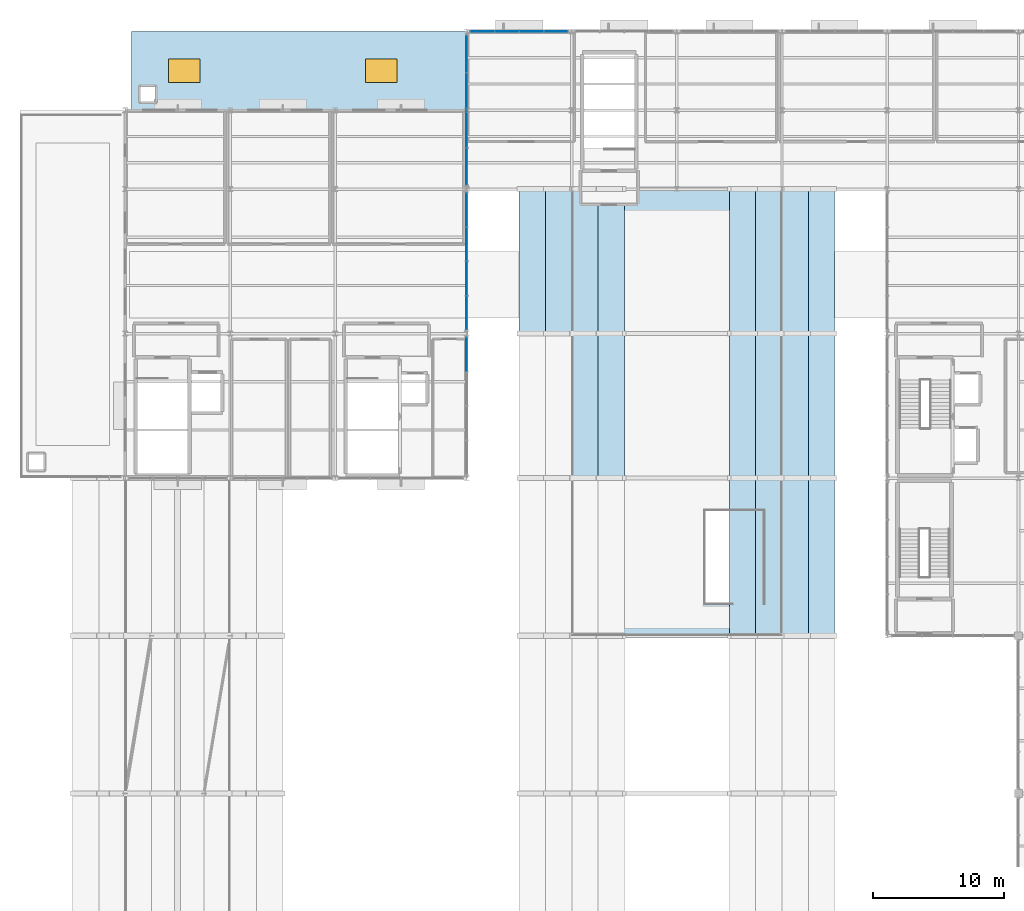
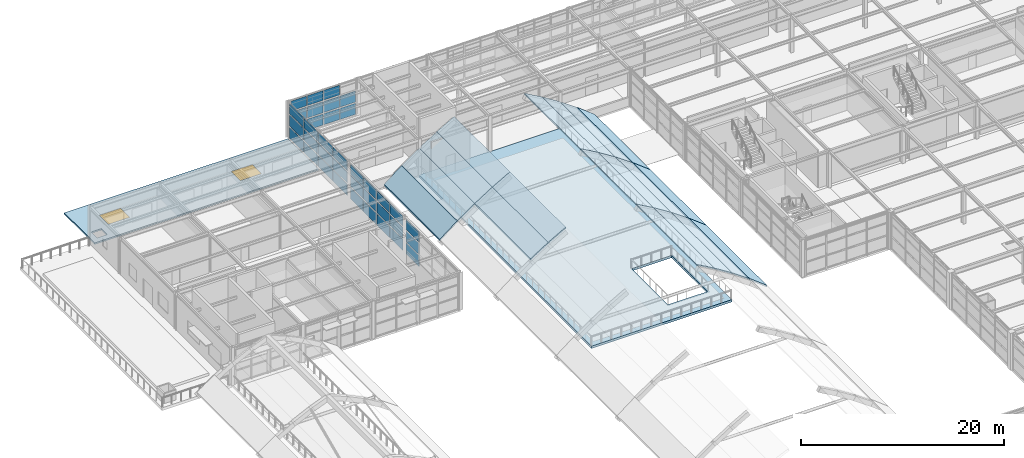
# One storey, part 49 of 82: 38 plates, 20 slabs, 2 windows, 2 openings, 4 elements without a shape of their own.
"""IFC4 building model written with IfcOpenShell, lengths in metres."""

import ifcopenshell
import ifcopenshell.guid

model = None  # the IFC model being written
_history = None  # IfcOwnerHistory: only IFC2X3 demands one
_inside = {}  # id of a spatial element -> (the spatial element, [elements in it])
_under = {}  # id of a project, library or spatial element -> (it, [spatial elements below it])
_declared = {}  # id of a project -> (the project, [libraries it declares])
_typed = {}  # id of a type object -> (the type object, [elements of that type])
_made_of = {}  # id of a material, layer set ... -> (it, [elements and type objects made of it])


def new_model(schema):
    """Start an empty IFC model of exactly this schema.

    Asked for "IFC4X3", IfcOpenShell would pick the latest addendum, in which some entities
    have other attributes; the version numbers below select the first issue.
    IFC2X3 requires an IfcOwnerHistory on every rooted entity: one is made here for all.
    """
    global model, _history
    if schema == "IFC4X3":
        model = ifcopenshell.file(schema_version=(4, 3, 0, 0))
    else:
        model = ifcopenshell.file(schema=schema)
    _inside.clear()
    _under.clear()
    _declared.clear()
    _typed.clear()
    _made_of.clear()
    _history = None
    if model.schema == "IFC2X3":
        org = make("IfcOrganization", Name="unknown")
        user = make(
            "IfcPersonAndOrganization",
            ThePerson=make("IfcPerson", FamilyName="unknown"),
            TheOrganization=org,
        )
        app = make(
            "IfcApplication",
            ApplicationDeveloper=org,
            Version="unknown",
            ApplicationFullName="unknown",
            ApplicationIdentifier="unknown",
        )
        _history = make(
            "IfcOwnerHistory",
            OwningUser=user,
            OwningApplication=app,
            ChangeAction="ADDED",
            CreationDate=0,
        )
    return model


def make(cls, **values):
    """One entity of the class cls with the attributes given. An attribute that is None is left unset."""
    return model.create_entity(
        cls, **{name: value for name, value in values.items() if value is not None}
    )


def rooted(cls, **values):
    """An entity with a GlobalId (a new one), such as an element, a storey or a relation."""
    return make(cls, GlobalId=ifcopenshell.guid.new(), OwnerHistory=_history, **values)


def si_unit(unit_type, name, prefix=None):
    """IfcSIUnit, for example si_unit("LENGTHUNIT", "METRE", prefix="MILLI")."""
    return make("IfcSIUnit", UnitType=unit_type, Prefix=prefix, Name=name)


def assignment(units):
    """IfcUnitAssignment: the units of a project."""
    return None if units is None else make("IfcUnitAssignment", Units=units)


def point(xyz):
    """IfcCartesianPoint."""
    return None if xyz is None else make("IfcCartesianPoint", Coordinates=xyz)


def direction(xyz):
    """IfcDirection."""
    return None if xyz is None else make("IfcDirection", DirectionRatios=xyz)


def frame(location, z_axis=None, x_axis=None):
    """IfcAxis2Placement3D, a coordinate frame: its origin and axes. An axis left out is left unset."""
    return make(
        "IfcAxis2Placement3D",
        Location=point(location),
        Axis=direction(z_axis),
        RefDirection=direction(x_axis),
    )


def frame_2d(location, x_axis=None):
    """IfcAxis2Placement2D, a coordinate frame in the plane: its origin and x axis."""
    return make(
        "IfcAxis2Placement2D", Location=point(location), RefDirection=direction(x_axis)
    )


def origin():
    """The frame at (0, 0, 0) with its axes left unset."""
    return frame((0.0, 0.0, 0.0))


def origin_2d():
    """The frame at (0, 0) in the plane with its x axis left unset."""
    return frame_2d((0.0, 0.0))


def place(relative_to, where):
    """IfcLocalPlacement: puts the frame where relative to a parent placement (None: the world)."""
    return make(
        "IfcLocalPlacement", PlacementRelTo=relative_to, RelativePlacement=where
    )


def context(
    kind, dimensions, precision=None, world=None, true_north=None, identifier=None
):
    """IfcGeometricRepresentationContext, for example the 3D "Model" context."""
    return make(
        "IfcGeometricRepresentationContext",
        ContextIdentifier=identifier,
        ContextType=kind,
        CoordinateSpaceDimension=dimensions,
        Precision=precision,
        WorldCoordinateSystem=world,
        TrueNorth=true_north,
    )


def subcontext(parent, identifier, kind, view, scale=None):
    """IfcGeometricRepresentationSubContext, for example "Body" below "Model"."""
    return make(
        "IfcGeometricRepresentationSubContext",
        ContextIdentifier=identifier,
        ContextType=kind,
        ParentContext=parent,
        TargetScale=scale,
        TargetView=view,
    )


def project(units=None, contexts=None):
    """IfcProject with its units and contexts."""
    return rooted(
        "IfcProject",
        Name="project",
        RepresentationContexts=contexts,
        UnitsInContext=assignment(units),
    )


def spatial(cls, under=None, at=None, **own):
    """A site, building, storey or space (cls), placed at a placement, below another one or the project."""
    s = rooted(cls, ObjectPlacement=at, **own)
    if under is not None:
        _under.setdefault(under.id(), (under, []))[1].append(s)
    return s


def polyline(points):
    """IfcPolyline through the points."""
    return make("IfcPolyline", Points=[point(p) for p in points])


def profile(cls, at=None, kind="AREA", **sizes):
    """A parametric profile (cls). Its sizes go by their IFC names, for example OverallWidth=200.0."""
    return make(cls, ProfileType=kind, Position=at, **sizes)


def rectangle(**sizes):
    """IfcRectangleProfileDef."""
    return profile("IfcRectangleProfileDef", **sizes)


def outline(outer, holes=None, kind="AREA"):
    """IfcArbitraryClosedProfileDef: a profile drawn as a closed curve; with holes, ...WithVoids."""
    if holes is None:
        return make("IfcArbitraryClosedProfileDef", ProfileType=kind, OuterCurve=outer)
    return make(
        "IfcArbitraryProfileDefWithVoids",
        ProfileType=kind,
        OuterCurve=outer,
        InnerCurves=holes,
    )


def extrude(swept, where, along, depth):
    """IfcExtrudedAreaSolid: the profile swept, set in the frame where, extruded along a direction by depth."""
    return make(
        "IfcExtrudedAreaSolid",
        SweptArea=swept,
        Position=where,
        ExtrudedDirection=direction(along),
        Depth=depth,
    )


def shape(context_of_items, identifier, shape_type, items):
    """IfcShapeRepresentation: the items that make up one representation, for example the "Body"."""
    return make(
        "IfcShapeRepresentation",
        ContextOfItems=context_of_items,
        RepresentationIdentifier=identifier,
        RepresentationType=shape_type,
        Items=items,
    )


def material(Name=None, Category=None):
    """IfcMaterial."""
    return make("IfcMaterial", Name=Name, Category=Category)


def layer(
    of_material, thickness, ventilated=None, Name=None, Category=None, Priority=None
):
    """IfcMaterialLayer: one layer of a wall or slab, of a material (None: an air gap)."""
    return make(
        "IfcMaterialLayer",
        Material=of_material,
        LayerThickness=thickness,
        IsVentilated=ventilated,
        Name=Name,
        Category=Category,
        Priority=Priority,
    )


def layer_set(layers, Name=None):
    """IfcMaterialLayerSet."""
    return make("IfcMaterialLayerSet", MaterialLayers=layers, LayerSetName=Name)


def made_of(thing, what):
    """Note that an element or type object is made of a material, layer set ...; save() writes the relation."""
    if what is not None:
        _made_of.setdefault(what.id(), (what, []))[1].append(thing)
    return thing


def type_object(cls, material=None, **own):
    """A type object (cls), such as IfcWallType, which elements share."""
    return made_of(rooted(cls, **own), material)


def element(
    cls,
    number,
    at=None,
    inside=None,
    cuts=None,
    type_object=None,
    material=None,
    context=None,
    identifier="Body",
    shape_type=None,
    held_by="IfcProductDefinitionShape",
    body=None,
    shapes=None,
    **own,
):
    """One element of the class cls, such as IfcWall. Its Tag is "e" and its number.

    at: its placement. inside: the storey or other place that contains it. cuts: it is an
    opening in that element (IfcRelVoidsElement). A single representation is given by context,
    identifier, shape_type and body (its items); several are given by shapes. held_by: the class
    of the entity that holds the representations. save() writes the other relations.
    """
    e = rooted(cls, Tag="e%d" % number, ObjectPlacement=at, **own)
    if body is not None:
        shapes = [shape(context, identifier, shape_type, body)]
    if shapes is not None:
        e.Representation = make(held_by, Representations=shapes)
    if inside is not None:
        _inside.setdefault(inside.id(), (inside, []))[1].append(e)
    if cuts is not None:
        rooted(
            "IfcRelVoidsElement", RelatingBuildingElement=cuts, RelatedOpeningElement=e
        )
    if type_object is not None:
        _typed.setdefault(type_object.id(), (type_object, []))[1].append(e)
    return made_of(e, material)


def fill(opening, filler):
    """IfcRelFillsElement: the door or window that sits in an opening."""
    return rooted(
        "IfcRelFillsElement",
        RelatingOpeningElement=opening,
        RelatedBuildingElement=filler,
    )


def aggregate(whole, parts):
    """IfcRelAggregates: a whole, such as a stair, and the parts it consists of."""
    return rooted("IfcRelAggregates", RelatingObject=whole, RelatedObjects=parts)


def save(model, path):
    """Write the relations noted so far, then the file.

    IfcRelAggregates (storeys below a building ...), IfcRelContainedInSpatialStructure (elements
    in a storey), IfcRelDefinesByType, IfcRelAssociatesMaterial and IfcRelDeclares: one each for
    every whole, place, type object, material and project.
    """
    for whole, parts in _under.values():
        aggregate(whole, parts)
    for where, things in _inside.values():
        rooted(
            "IfcRelContainedInSpatialStructure",
            RelatedElements=things,
            RelatingStructure=where,
        )
    for kind, things in _typed.values():
        rooted("IfcRelDefinesByType", RelatedObjects=things, RelatingType=kind)
    for what, things in _made_of.values():
        rooted("IfcRelAssociatesMaterial", RelatedObjects=things, RelatingMaterial=what)
    for by, libraries in _declared.values():
        rooted("IfcRelDeclares", RelatingContext=by, RelatedDefinitions=libraries)
    model.write(path)


model = new_model("IFC4")

# Units and contexts
model_context = context("Model", 3, precision=1e-05, world=origin(), true_north=direction((0.0, 1.0)))
body_context = subcontext(model_context, "Body", "Model", "MODEL_VIEW")
ifc_project = project(units=[si_unit("LENGTHUNIT", "METRE"), si_unit("AREAUNIT", "SQUARE_METRE"), si_unit("VOLUMEUNIT", "CUBIC_METRE"), si_unit("PLANEANGLEUNIT", "RADIAN"), si_unit("MASSUNIT", "GRAM", prefix="KILO")], contexts=[model_context])

# Site, building, storey
site_placement = place(None, origin())
site = spatial("IfcSite", under=ifc_project, at=site_placement, CompositionType="ELEMENT")
building_placement = place(site_placement, origin())
building = spatial("IfcBuilding", under=site, at=building_placement, Name="Sitalva Quay Ferry Terminal", CompositionType="ELEMENT")
storey_placement = place(building_placement, frame((0.0, 0.0, 5.39990234375)))
storey = spatial("IfcBuildingStorey", under=building, at=storey_placement, Name="L02", CompositionType="ELEMENT", Elevation=5.39990234375)

# Curtain wall, plates
ifc_material_1 = material(Name="Anodised Aluminium & Low-E Glazing", Category="aluminium")
ifc_layer_1 = layer(ifc_material_1, 0.159912109375)
ifc_layer_set_1 = layer_set([ifc_layer_1], Name="Anodised Aluminium & Low-E Glazing")
curtain_wall_type = type_object("IfcCurtainWallType", Name="CW_Office_Unitised", PredefinedType="USERDEFINED", material=ifc_layer_set_1)
curtain_wall_1_placement = place(storey_placement, origin())
curtain_wall_1 = element("IfcCurtainWall", 1, at=curtain_wall_1_placement, inside=storey, type_object=curtain_wall_type, Name="L02 west wing east glazing overlooking V1 (CW-L02-109)", ObjectType="CURTAIN_WALL", PredefinedType="USERDEFINED")
ifc_material_2 = material(Name="Solar-Control Low-E Glazing", Category="glass")
ifc_layer_2 = layer(ifc_material_2, 0.031982421875)
ifc_layer_set_2 = layer_set([ifc_layer_2], Name="Solar-Control Low-E Glazing")
plate_type_1 = type_object("IfcPlateType", Name="Panel_Solar_IGU_32", PredefinedType="CURTAIN_PANEL", material=ifc_layer_set_2)
plate_1_placement = place(storey_placement, frame((42.0, 87.4150390625, 0.14990234375), z_axis=(0.0, 0.0, 1.0), x_axis=(0.0, 1.0, 0.0)))
plate_1 = element("IfcPlate", 2, at=plate_1_placement, type_object=plate_type_1, Name="CW-L02-109-P3-0", PredefinedType="CURTAIN_PANEL", context=body_context, shape_type="SweptSolid", body=[
    extrude(rectangle(XDim=2.534912109375, YDim=0.031982421875, at=origin_2d()), origin(), (0.0, 0.0, 1.0), 1.333251953125),
])
plate_2_placement = place(storey_placement, frame((42.0, 87.4150390625, 1.63330078125), z_axis=(0.0, 0.0, 1.0), x_axis=(0.0, 1.0, 0.0)))
plate_2 = element("IfcPlate", 3, at=plate_2_placement, type_object=plate_type_1, Name="CW-L02-109-P3-1", PredefinedType="CURTAIN_PANEL", context=body_context, shape_type="SweptSolid", body=[
    extrude(rectangle(XDim=2.534912109375, YDim=0.031982421875, at=origin_2d()), origin(), (0.0, 0.0, 1.0), 1.333251953125),
])
plate_3_placement = place(storey_placement, frame((42.0, 87.4150390625, 3.11669921875), z_axis=(0.0, 0.0, 1.0), x_axis=(0.0, 1.0, 0.0)))
plate_3 = element("IfcPlate", 4, at=plate_3_placement, type_object=plate_type_1, Name="CW-L02-109-P3-2", PredefinedType="CURTAIN_PANEL", context=body_context, shape_type="SweptSolid", body=[
    extrude(rectangle(XDim=2.534912109375, YDim=0.031982421875, at=origin_2d()), origin(), (0.0, 0.0, 1.0), 1.183349609375),
])
aggregate(curtain_wall_1, [plate_1, plate_2, plate_3])

curtain_wall_2_placement = place(storey_placement, origin())
curtain_wall_2 = element("IfcCurtainWall", 5, at=curtain_wall_2_placement, inside=storey, type_object=curtain_wall_type, Name="L02 west wing east glazing overlooking V1 (CW-L02-111)", ObjectType="CURTAIN_WALL", PredefinedType="USERDEFINED")
plate_4_placement = place(storey_placement, frame((42.0, 90.5849609375, 0.14990234375), z_axis=(0.0, 0.0, 1.0), x_axis=(0.0, 1.0, 0.0)))
plate_4 = element("IfcPlate", 6, at=plate_4_placement, type_object=plate_type_1, Name="CW-L02-111-P0-0", PredefinedType="CURTAIN_PANEL", context=body_context, shape_type="SweptSolid", body=[
    extrude(rectangle(XDim=2.534912109375, YDim=0.031982421875, at=origin_2d()), origin(), (0.0, 0.0, 1.0), 1.333251953125),
])
plate_5_placement = place(storey_placement, frame((42.0, 90.5849609375, 1.63330078125), z_axis=(0.0, 0.0, 1.0), x_axis=(0.0, 1.0, 0.0)))
plate_5 = element("IfcPlate", 7, at=plate_5_placement, type_object=plate_type_1, Name="CW-L02-111-P0-1", PredefinedType="CURTAIN_PANEL", context=body_context, shape_type="SweptSolid", body=[
    extrude(rectangle(XDim=2.534912109375, YDim=0.031982421875, at=origin_2d()), origin(), (0.0, 0.0, 1.0), 1.333251953125),
])
plate_6_placement = place(storey_placement, frame((42.0, 90.5849609375, 3.11669921875), z_axis=(0.0, 0.0, 1.0), x_axis=(0.0, 1.0, 0.0)))
plate_6 = element("IfcPlate", 8, at=plate_6_placement, type_object=plate_type_1, Name="CW-L02-111-P0-2", PredefinedType="CURTAIN_PANEL", context=body_context, shape_type="SweptSolid", body=[
    extrude(rectangle(XDim=2.534912109375, YDim=0.031982421875, at=origin_2d()), origin(), (0.0, 0.0, 1.0), 1.183349609375),
])
plate_7_placement = place(storey_placement, frame((42.0, 93.195068359375, 0.14990234375), z_axis=(0.0, 0.0, 1.0), x_axis=(0.0, 1.0, 0.0)))
plate_7 = element("IfcPlate", 9, at=plate_7_placement, type_object=plate_type_1, Name="CW-L02-111-P1-0", PredefinedType="CURTAIN_PANEL", context=body_context, shape_type="SweptSolid", body=[
    extrude(rectangle(XDim=2.534912109375, YDim=0.031982421875, at=origin_2d()), origin(), (0.0, 0.0, 1.0), 1.333251953125),
])
plate_8_placement = place(storey_placement, frame((42.0, 93.195068359375, 1.63330078125), z_axis=(0.0, 0.0, 1.0), x_axis=(0.0, 1.0, 0.0)))
plate_8 = element("IfcPlate", 10, at=plate_8_placement, type_object=plate_type_1, Name="CW-L02-111-P1-1", PredefinedType="CURTAIN_PANEL", context=body_context, shape_type="SweptSolid", body=[
    extrude(rectangle(XDim=2.534912109375, YDim=0.031982421875, at=origin_2d()), origin(), (0.0, 0.0, 1.0), 1.333251953125),
])
plate_9_placement = place(storey_placement, frame((42.0, 93.195068359375, 3.11669921875), z_axis=(0.0, 0.0, 1.0), x_axis=(0.0, 1.0, 0.0)))
plate_9 = element("IfcPlate", 11, at=plate_9_placement, type_object=plate_type_1, Name="CW-L02-111-P1-2", PredefinedType="CURTAIN_PANEL", context=body_context, shape_type="SweptSolid", body=[
    extrude(rectangle(XDim=2.534912109375, YDim=0.031982421875, at=origin_2d()), origin(), (0.0, 0.0, 1.0), 1.183349609375),
])
plate_10_placement = place(storey_placement, frame((42.0, 95.804931640625, 0.14990234375), z_axis=(0.0, 0.0, 1.0), x_axis=(0.0, 1.0, 0.0)))
plate_10 = element("IfcPlate", 12, at=plate_10_placement, type_object=plate_type_1, Name="CW-L02-111-P2-0", PredefinedType="CURTAIN_PANEL", context=body_context, shape_type="SweptSolid", body=[
    extrude(rectangle(XDim=2.534912109375, YDim=0.031982421875, at=origin_2d()), origin(), (0.0, 0.0, 1.0), 1.333251953125),
])
plate_11_placement = place(storey_placement, frame((42.0, 95.804931640625, 1.63330078125), z_axis=(0.0, 0.0, 1.0), x_axis=(0.0, 1.0, 0.0)))
plate_11 = element("IfcPlate", 13, at=plate_11_placement, type_object=plate_type_1, Name="CW-L02-111-P2-1", PredefinedType="CURTAIN_PANEL", context=body_context, shape_type="SweptSolid", body=[
    extrude(rectangle(XDim=2.534912109375, YDim=0.031982421875, at=origin_2d()), origin(), (0.0, 0.0, 1.0), 1.333251953125),
])
plate_12_placement = place(storey_placement, frame((42.0, 95.804931640625, 3.11669921875), z_axis=(0.0, 0.0, 1.0), x_axis=(0.0, 1.0, 0.0)))
plate_12 = element("IfcPlate", 14, at=plate_12_placement, type_object=plate_type_1, Name="CW-L02-111-P2-2", PredefinedType="CURTAIN_PANEL", context=body_context, shape_type="SweptSolid", body=[
    extrude(rectangle(XDim=2.534912109375, YDim=0.031982421875, at=origin_2d()), origin(), (0.0, 0.0, 1.0), 1.183349609375),
])
plate_13_placement = place(storey_placement, frame((42.0, 98.4150390625, 0.14990234375), z_axis=(0.0, 0.0, 1.0), x_axis=(0.0, 1.0, 0.0)))
plate_13 = element("IfcPlate", 15, at=plate_13_placement, type_object=plate_type_1, Name="CW-L02-111-P3-0", PredefinedType="CURTAIN_PANEL", context=body_context, shape_type="SweptSolid", body=[
    extrude(rectangle(XDim=2.534912109375, YDim=0.031982421875, at=origin_2d()), origin(), (0.0, 0.0, 1.0), 1.333251953125),
])
plate_14_placement = place(storey_placement, frame((42.0, 98.4150390625, 1.63330078125), z_axis=(0.0, 0.0, 1.0), x_axis=(0.0, 1.0, 0.0)))
plate_14 = element("IfcPlate", 16, at=plate_14_placement, type_object=plate_type_1, Name="CW-L02-111-P3-1", PredefinedType="CURTAIN_PANEL", context=body_context, shape_type="SweptSolid", body=[
    extrude(rectangle(XDim=2.534912109375, YDim=0.031982421875, at=origin_2d()), origin(), (0.0, 0.0, 1.0), 1.333251953125),
])
plate_15_placement = place(storey_placement, frame((42.0, 98.4150390625, 3.11669921875), z_axis=(0.0, 0.0, 1.0), x_axis=(0.0, 1.0, 0.0)))
plate_15 = element("IfcPlate", 17, at=plate_15_placement, type_object=plate_type_1, Name="CW-L02-111-P3-2", PredefinedType="CURTAIN_PANEL", context=body_context, shape_type="SweptSolid", body=[
    extrude(rectangle(XDim=2.534912109375, YDim=0.031982421875, at=origin_2d()), origin(), (0.0, 0.0, 1.0), 1.183349609375),
])
aggregate(curtain_wall_2, [plate_4, plate_5, plate_6, plate_7, plate_8, plate_9, plate_10, plate_11, plate_12, plate_13, plate_14, plate_15])

curtain_wall_3_placement = place(storey_placement, origin())
curtain_wall_3 = element("IfcCurtainWall", 18, at=curtain_wall_3_placement, inside=storey, type_object=curtain_wall_type, Name="L02 forecourt west return glazing (CW-L02-113)", ObjectType="CURTAIN_WALL", PredefinedType="USERDEFINED")
plate_16_placement = place(storey_placement, frame((42.0, 101.7099609375, 0.14990234375), z_axis=(0.0, 0.0, 1.0), x_axis=(0.0, 1.0, 0.0)))
plate_16 = element("IfcPlate", 19, at=plate_16_placement, type_object=plate_type_1, Name="CW-L02-113-P0-0", PredefinedType="CURTAIN_PANEL", context=body_context, shape_type="SweptSolid", body=[
    extrude(rectangle(XDim=2.784912109375, YDim=0.031982421875, at=origin_2d()), origin(), (0.0, 0.0, 1.0), 1.333251953125),
])
plate_17_placement = place(storey_placement, frame((42.0, 101.7099609375, 1.63330078125), z_axis=(0.0, 0.0, 1.0), x_axis=(0.0, 1.0, 0.0)))
plate_17 = element("IfcPlate", 20, at=plate_17_placement, type_object=plate_type_1, Name="CW-L02-113-P0-1", PredefinedType="CURTAIN_PANEL", context=body_context, shape_type="SweptSolid", body=[
    extrude(rectangle(XDim=2.784912109375, YDim=0.031982421875, at=origin_2d()), origin(), (0.0, 0.0, 1.0), 1.333251953125),
])
plate_18_placement = place(storey_placement, frame((42.0, 101.7099609375, 3.11669921875), z_axis=(0.0, 0.0, 1.0), x_axis=(0.0, 1.0, 0.0)))
plate_18 = element("IfcPlate", 21, at=plate_18_placement, type_object=plate_type_1, Name="CW-L02-113-P0-2", PredefinedType="CURTAIN_PANEL", context=body_context, shape_type="SweptSolid", body=[
    extrude(rectangle(XDim=2.784912109375, YDim=0.031982421875, at=origin_2d()), origin(), (0.0, 0.0, 1.0), 1.183349609375),
])
plate_19_placement = place(storey_placement, frame((42.0, 104.570068359375, 0.14990234375), z_axis=(0.0, 0.0, 1.0), x_axis=(0.0, 1.0, 0.0)))
plate_19 = element("IfcPlate", 22, at=plate_19_placement, type_object=plate_type_1, Name="CW-L02-113-P1-0", PredefinedType="CURTAIN_PANEL", context=body_context, shape_type="SweptSolid", body=[
    extrude(rectangle(XDim=2.784912109375, YDim=0.031982421875, at=origin_2d()), origin(), (0.0, 0.0, 1.0), 1.333251953125),
])
plate_20_placement = place(storey_placement, frame((42.0, 104.570068359375, 1.63330078125), z_axis=(0.0, 0.0, 1.0), x_axis=(0.0, 1.0, 0.0)))
plate_20 = element("IfcPlate", 23, at=plate_20_placement, type_object=plate_type_1, Name="CW-L02-113-P1-1", PredefinedType="CURTAIN_PANEL", context=body_context, shape_type="SweptSolid", body=[
    extrude(rectangle(XDim=2.784912109375, YDim=0.031982421875, at=origin_2d()), origin(), (0.0, 0.0, 1.0), 1.333251953125),
])
plate_21_placement = place(storey_placement, frame((42.0, 104.570068359375, 3.11669921875), z_axis=(0.0, 0.0, 1.0), x_axis=(0.0, 1.0, 0.0)))
plate_21 = element("IfcPlate", 24, at=plate_21_placement, type_object=plate_type_1, Name="CW-L02-113-P1-2", PredefinedType="CURTAIN_PANEL", context=body_context, shape_type="SweptSolid", body=[
    extrude(rectangle(XDim=2.784912109375, YDim=0.031982421875, at=origin_2d()), origin(), (0.0, 0.0, 1.0), 1.183349609375),
])
plate_22_placement = place(storey_placement, frame((42.0, 107.429931640625, 0.14990234375), z_axis=(0.0, 0.0, 1.0), x_axis=(0.0, 1.0, 0.0)))
plate_22 = element("IfcPlate", 25, at=plate_22_placement, type_object=plate_type_1, Name="CW-L02-113-P2-0", PredefinedType="CURTAIN_PANEL", context=body_context, shape_type="SweptSolid", body=[
    extrude(rectangle(XDim=2.784912109375, YDim=0.031982421875, at=origin_2d()), origin(), (0.0, 0.0, 1.0), 1.333251953125),
])
plate_23_placement = place(storey_placement, frame((42.0, 107.429931640625, 1.63330078125), z_axis=(0.0, 0.0, 1.0), x_axis=(0.0, 1.0, 0.0)))
plate_23 = element("IfcPlate", 26, at=plate_23_placement, type_object=plate_type_1, Name="CW-L02-113-P2-1", PredefinedType="CURTAIN_PANEL", context=body_context, shape_type="SweptSolid", body=[
    extrude(rectangle(XDim=2.784912109375, YDim=0.031982421875, at=origin_2d()), origin(), (0.0, 0.0, 1.0), 1.333251953125),
])
plate_24_placement = place(storey_placement, frame((42.0, 107.429931640625, 3.11669921875), z_axis=(0.0, 0.0, 1.0), x_axis=(0.0, 1.0, 0.0)))
plate_24 = element("IfcPlate", 27, at=plate_24_placement, type_object=plate_type_1, Name="CW-L02-113-P2-2", PredefinedType="CURTAIN_PANEL", context=body_context, shape_type="SweptSolid", body=[
    extrude(rectangle(XDim=2.784912109375, YDim=0.031982421875, at=origin_2d()), origin(), (0.0, 0.0, 1.0), 1.183349609375),
])
plate_25_placement = place(storey_placement, frame((42.0, 110.2900390625, 0.14990234375), z_axis=(0.0, 0.0, 1.0), x_axis=(0.0, 1.0, 0.0)))
plate_25 = element("IfcPlate", 28, at=plate_25_placement, type_object=plate_type_1, Name="CW-L02-113-P3-0", PredefinedType="CURTAIN_PANEL", context=body_context, shape_type="SweptSolid", body=[
    extrude(rectangle(XDim=2.784912109375, YDim=0.031982421875, at=origin_2d()), origin(), (0.0, 0.0, 1.0), 1.333251953125),
])
plate_26_placement = place(storey_placement, frame((42.0, 110.2900390625, 1.63330078125), z_axis=(0.0, 0.0, 1.0), x_axis=(0.0, 1.0, 0.0)))
plate_26 = element("IfcPlate", 29, at=plate_26_placement, type_object=plate_type_1, Name="CW-L02-113-P3-1", PredefinedType="CURTAIN_PANEL", context=body_context, shape_type="SweptSolid", body=[
    extrude(rectangle(XDim=2.784912109375, YDim=0.031982421875, at=origin_2d()), origin(), (0.0, 0.0, 1.0), 1.333251953125),
])
plate_27_placement = place(storey_placement, frame((42.0, 110.2900390625, 3.11669921875), z_axis=(0.0, 0.0, 1.0), x_axis=(0.0, 1.0, 0.0)))
plate_27 = element("IfcPlate", 30, at=plate_27_placement, type_object=plate_type_1, Name="CW-L02-113-P3-2", PredefinedType="CURTAIN_PANEL", context=body_context, shape_type="SweptSolid", body=[
    extrude(rectangle(XDim=2.784912109375, YDim=0.031982421875, at=origin_2d()), origin(), (0.0, 0.0, 1.0), 1.183349609375),
])
aggregate(curtain_wall_3, [plate_16, plate_17, plate_18, plate_19, plate_20, plate_21, plate_22, plate_23, plate_24, plate_25, plate_26, plate_27])

curtain_wall_4_placement = place(storey_placement, origin())
curtain_wall_4 = element("IfcCurtainWall", 31, at=curtain_wall_4_placement, inside=storey, type_object=curtain_wall_type, Name="L02 forecourt horizontal curtain wall (CW-L02-115)", ObjectType="CURTAIN_WALL", PredefinedType="USERDEFINED")
plate_28_placement = place(storey_placement, frame((43.2099609375, 112.0, 1.63330078125), z_axis=(0.0, 0.0, 1.0), x_axis=(1.0, 0.0, 0.0)))
plate_28 = element("IfcPlate", 32, at=plate_28_placement, type_object=plate_type_1, Name="CW-L02-115-P0-1", PredefinedType="CURTAIN_PANEL", context=body_context, shape_type="SweptSolid", body=[
    extrude(rectangle(XDim=1.784912109375, YDim=0.031982421875, at=origin_2d()), origin(), (0.0, 0.0, 1.0), 1.333251953125),
])
plate_29_placement = place(storey_placement, frame((43.2099609375, 112.0, 3.11669921875), z_axis=(0.0, 0.0, 1.0), x_axis=(1.0, 0.0, 0.0)))
plate_29 = element("IfcPlate", 33, at=plate_29_placement, type_object=plate_type_1, Name="CW-L02-115-P0-2", PredefinedType="CURTAIN_PANEL", context=body_context, shape_type="SweptSolid", body=[
    extrude(rectangle(XDim=1.784912109375, YDim=0.031982421875, at=origin_2d()), origin(), (0.0, 0.0, 1.0), 1.183349609375),
])
plate_30_placement = place(storey_placement, frame((45.070068359375, 112.0, 1.63330078125), z_axis=(0.0, 0.0, 1.0), x_axis=(1.0, 0.0, 0.0)))
plate_30 = element("IfcPlate", 34, at=plate_30_placement, type_object=plate_type_1, Name="CW-L02-115-P1-1", PredefinedType="CURTAIN_PANEL", context=body_context, shape_type="SweptSolid", body=[
    extrude(rectangle(XDim=1.784912109375, YDim=0.031982421875, at=origin_2d()), origin(), (0.0, 0.0, 1.0), 1.333251953125),
])
plate_31_placement = place(storey_placement, frame((45.070068359375, 112.0, 3.11669921875), z_axis=(0.0, 0.0, 1.0), x_axis=(1.0, 0.0, 0.0)))
plate_31 = element("IfcPlate", 35, at=plate_31_placement, type_object=plate_type_1, Name="CW-L02-115-P1-2", PredefinedType="CURTAIN_PANEL", context=body_context, shape_type="SweptSolid", body=[
    extrude(rectangle(XDim=1.784912109375, YDim=0.031982421875, at=origin_2d()), origin(), (0.0, 0.0, 1.0), 1.183349609375),
])
plate_32_placement = place(storey_placement, frame((46.929931640625, 112.0, 1.63330078125), z_axis=(0.0, 0.0, 1.0), x_axis=(1.0, 0.0, 0.0)))
plate_32 = element("IfcPlate", 36, at=plate_32_placement, type_object=plate_type_1, Name="CW-L02-115-P2-1", PredefinedType="CURTAIN_PANEL", context=body_context, shape_type="SweptSolid", body=[
    extrude(rectangle(XDim=1.784912109375, YDim=0.031982421875, at=origin_2d()), origin(), (0.0, 0.0, 1.0), 1.333251953125),
])
plate_33_placement = place(storey_placement, frame((46.929931640625, 112.0, 3.11669921875), z_axis=(0.0, 0.0, 1.0), x_axis=(1.0, 0.0, 0.0)))
plate_33 = element("IfcPlate", 37, at=plate_33_placement, type_object=plate_type_1, Name="CW-L02-115-P2-2", PredefinedType="CURTAIN_PANEL", context=body_context, shape_type="SweptSolid", body=[
    extrude(rectangle(XDim=1.784912109375, YDim=0.031982421875, at=origin_2d()), origin(), (0.0, 0.0, 1.0), 1.183349609375),
])
plate_34_placement = place(storey_placement, frame((48.7900390625, 112.0, 1.63330078125), z_axis=(0.0, 0.0, 1.0), x_axis=(1.0, 0.0, 0.0)))
plate_34 = element("IfcPlate", 38, at=plate_34_placement, type_object=plate_type_1, Name="CW-L02-115-P3-1", PredefinedType="CURTAIN_PANEL", context=body_context, shape_type="SweptSolid", body=[
    extrude(rectangle(XDim=1.784912109375, YDim=0.031982421875, at=origin_2d()), origin(), (0.0, 0.0, 1.0), 1.333251953125),
])
ifc_material_3 = material(Name="Insulated Spandrel Cassette", Category="aluminium")
ifc_layer_3 = layer(ifc_material_3, 0.0400390625)
ifc_layer_set_3 = layer_set([ifc_layer_3], Name="Insulated Spandrel Cassette")
plate_type_2 = type_object("IfcPlateType", Name="Panel_Spandrel_Alu_40", PredefinedType="CURTAIN_PANEL", material=ifc_layer_set_3)
plate_35_placement = place(storey_placement, frame((43.2099609375, 112.0, 0.14990234375), z_axis=(0.0, 0.0, 1.0), x_axis=(1.0, 0.0, 0.0)))
plate_35 = element("IfcPlate", 39, at=plate_35_placement, type_object=plate_type_2, Name="CW-L02-115-P0-0", PredefinedType="CURTAIN_PANEL", context=body_context, shape_type="SweptSolid", body=[
    extrude(rectangle(XDim=1.784912109375, YDim=0.0400390625, at=origin_2d()), origin(), (0.0, 0.0, 1.0), 1.333251953125),
])
plate_36_placement = place(storey_placement, frame((45.070068359375, 112.0, 0.14990234375), z_axis=(0.0, 0.0, 1.0), x_axis=(1.0, 0.0, 0.0)))
plate_36 = element("IfcPlate", 40, at=plate_36_placement, type_object=plate_type_2, Name="CW-L02-115-P1-0", PredefinedType="CURTAIN_PANEL", context=body_context, shape_type="SweptSolid", body=[
    extrude(rectangle(XDim=1.784912109375, YDim=0.0400390625, at=origin_2d()), origin(), (0.0, 0.0, 1.0), 1.333251953125),
])
plate_37_placement = place(storey_placement, frame((46.929931640625, 112.0, 0.14990234375), z_axis=(0.0, 0.0, 1.0), x_axis=(1.0, 0.0, 0.0)))
plate_37 = element("IfcPlate", 41, at=plate_37_placement, type_object=plate_type_2, Name="CW-L02-115-P2-0", PredefinedType="CURTAIN_PANEL", context=body_context, shape_type="SweptSolid", body=[
    extrude(rectangle(XDim=1.784912109375, YDim=0.0400390625, at=origin_2d()), origin(), (0.0, 0.0, 1.0), 1.333251953125),
])
plate_38_placement = place(storey_placement, frame((48.7900390625, 112.0, 0.14990234375), z_axis=(0.0, 0.0, 1.0), x_axis=(1.0, 0.0, 0.0)))
plate_38 = element("IfcPlate", 42, at=plate_38_placement, type_object=plate_type_2, Name="CW-L02-115-P3-0", PredefinedType="CURTAIN_PANEL", context=body_context, shape_type="SweptSolid", body=[
    extrude(rectangle(XDim=1.784912109375, YDim=0.0400390625, at=origin_2d()), origin(), (0.0, 0.0, 1.0), 1.333251953125),
])
aggregate(curtain_wall_4, [plate_35, plate_28, plate_29, plate_36, plate_30, plate_31, plate_37, plate_32, plate_33, plate_38, plate_34])

# Slab, openings, windows
ifc_material_4 = material(Name="Concrete C35/45", Category="concrete")
ifc_layer_4 = layer(ifc_material_4, 0.179931640625)
ifc_layer_set_4 = layer_set([ifc_layer_4], Name="Concrete C35/45")
slab_type_1 = type_object("IfcSlabType", Name="Slab_CanopyRoof_180", PredefinedType="ROOF", material=ifc_layer_set_4)
slab_1_placement = place(storey_placement, frame((0.0, 0.0, -0.27978515625)))
slab_1 = element("IfcSlab", 43, at=slab_1_placement, inside=storey, type_object=slab_type_1, Name="L02 West entrance canopy roof 030", PredefinedType="ROOF", context=body_context, shape_type="SweptSolid", body=[
    extrude(outline(polyline([(16.5, 106.0), (42.0, 106.0), (42.0, 112.0), (16.5, 112.0), (16.5, 106.0)]), holes=[polyline([(17.14990234375, 106.64990234375), (17.14990234375, 107.800048828125), (18.300048828125, 107.800048828125), (18.300048828125, 106.64990234375), (17.14990234375, 106.64990234375)])]), origin(), (0.0, 0.0, 1.0), 0.179931640625),
])
opening_1_placement = place(slab_1_placement, frame((20.5, 109.0, 0.0)))
opening_1 = element("IfcOpeningElement", 44, at=opening_1_placement, cuts=slab_1, Name="Opening SK-05", PredefinedType="OPENING", context=body_context, shape_type="SweptSolid", body=[
    extrude(rectangle(XDim=2.39990234375, YDim=1.800048828125, at=origin_2d()), frame((0.0, 0.0, -0.010009765625)), (0.0, 0.0, 1.0), 0.199951171875),
])
opening_2_placement = place(slab_1_placement, frame((35.5, 109.0, 0.0)))
opening_2 = element("IfcOpeningElement", 45, at=opening_2_placement, cuts=slab_1, Name="Opening SK-06", PredefinedType="OPENING", context=body_context, shape_type="SweptSolid", body=[
    extrude(rectangle(XDim=2.39990234375, YDim=1.800048828125, at=origin_2d()), frame((0.0, 0.0, -0.010009765625)), (0.0, 0.0, 1.0), 0.199951171875),
])
ifc_material_5 = material(Name="Laminated Daylight Roof Lantern", Category="glass")
window_type = type_object("IfcWindowType", Name="Skylight_Canopy_2400x1800", PartitioningType="SINGLE_PANEL", PredefinedType="SKYLIGHT", material=ifc_material_5)
window_1_placement = place(opening_1_placement, frame((0.0, 0.0, 0.1298828125)))
window_1 = element("IfcWindow", 46, at=window_1_placement, inside=storey, type_object=window_type, Name="Roof daylight skylight SK-05", OverallHeight=1.800048828125, OverallWidth=2.39990234375, PartitioningType="SINGLE_PANEL", PredefinedType="SKYLIGHT", context=body_context, shape_type="SweptSolid", body=[
    extrude(rectangle(XDim=2.39990234375, YDim=1.800048828125, at=origin_2d()), origin(), (0.0, 0.0, 1.0), 0.050048828125),
])
fill(opening_1, window_1)
window_2_placement = place(opening_2_placement, frame((0.0, 0.0, 0.1298828125)))
window_2 = element("IfcWindow", 47, at=window_2_placement, inside=storey, type_object=window_type, Name="Roof daylight skylight SK-06", OverallHeight=1.800048828125, OverallWidth=2.39990234375, PartitioningType="SINGLE_PANEL", PredefinedType="SKYLIGHT", context=body_context, shape_type="SweptSolid", body=[
    extrude(rectangle(XDim=2.39990234375, YDim=1.800048828125, at=origin_2d()), origin(), (0.0, 0.0, 1.0), 0.050048828125),
])
fill(opening_2, window_2)

# Slabs
ifc_material_6 = material(Name="Concrete C35/45", Category="concrete")
ifc_layer_5 = layer(ifc_material_6, 0.280029296875)
ifc_layer_set_5 = layer_set([ifc_layer_5], Name="Concrete C35/45")
slab_type_2 = type_object("IfcSlabType", Name="Slab_Concourse_280", PredefinedType="FLOOR", material=ifc_layer_set_5)
slab_2_placement = place(storey_placement, frame((0.0, 0.0, -0.27978515625)))
element("IfcSlab", 48, at=slab_2_placement, inside=storey, type_object=slab_type_2, Name="L02 Departure north waiting gallery 035", PredefinedType="FLOOR", context=body_context, shape_type="SweptSolid", body=[
    extrude(outline(polyline([(50.0, 66.0), (66.0, 66.0), (66.0, 100.0), (50.0, 100.0), (50.0, 66.0)]), holes=[polyline([(60.10009765625, 68.419921875), (60.10009765625, 75.56005859375), (64.64990234375, 75.56005859375), (64.64990234375, 68.419921875), (60.10009765625, 68.419921875)])]), origin(), (0.0, 0.0, 1.0), 0.27978515625),
])
ifc_material_7 = material(Name="Concrete C40/50", Category="concrete")
ifc_layer_6 = layer(ifc_material_7, 0.159912109375)
ifc_layer_set_6 = layer_set([ifc_layer_6], Name="Concrete C40/50")
slab_type_3 = type_object("IfcSlabType", Name="Slab_PointedVaultShell_160", PredefinedType="ROOF", material=ifc_layer_set_6)
slab_3_placement = place(storey_placement, frame((62.0, 66.0, 5.650146484375), z_axis=(0.495567919109, 0.0, 0.868569189846), x_axis=(0.868569189846, 0.0, -0.495567919109)))
element("IfcSlab", 49, at=slab_3_placement, inside=storey, type_object=slab_type_3, Name="Vault V1 pointed shell facet B6-F11", PredefinedType="ROOF", context=body_context, shape_type="SweptSolid", body=[
    extrude(outline(polyline([(0.0, 0.0), (2.3026375139489805, 0.0), (2.3026375139489805, 12.0), (0.0, 12.0), (0.0, 0.0)])), origin(), (0.495567919109, 0.0, -0.868569189846), 0.184326171875),
])
slab_4_placement = place(storey_placement, frame((64.0, 66.0, 4.509033203125), z_axis=(0.534148288935, 0.0, 0.845390800416), x_axis=(0.845390800416, 0.0, -0.534148288935)))
element("IfcSlab", 50, at=slab_4_placement, inside=storey, type_object=slab_type_3, Name="Vault V1 pointed shell facet B6-F12", PredefinedType="ROOF", context=body_context, shape_type="SweptSolid", body=[
    extrude(outline(polyline([(0.0, 0.0), (2.3657697706383045, 0.0), (2.3657697706383045, 12.0), (0.0, 12.0), (0.0, 0.0)])), origin(), (0.534148288935, 0.0, -0.845390800416), 0.189208984375),
])
slab_5_placement = place(storey_placement, frame((66.0, 66.0, 3.245361328125), z_axis=(0.572561943241, 0.0, 0.81986146461), x_axis=(0.81986146461, 0.0, -0.572561943241)))
element("IfcSlab", 51, at=slab_5_placement, inside=storey, type_object=slab_type_3, Name="Vault V1 pointed shell facet B6-F13", PredefinedType="ROOF", context=body_context, shape_type="SweptSolid", body=[
    extrude(outline(polyline([(0.0, 0.0), (2.439436522305923, 0.0), (2.439436522305923, 12.0), (0.0, 12.0), (0.0, 0.0)])), origin(), (0.572561943241, 0.0, -0.81986146461), 0.195068359375),
])
slab_6_placement = place(storey_placement, frame((68.0, 66.0, 1.8486328125), z_axis=(0.611012871189, 0.0, 0.791620661202), x_axis=(0.791620661202, 0.0, -0.611012871189)))
element("IfcSlab", 52, at=slab_6_placement, inside=storey, type_object=slab_type_3, Name="Vault V1 pointed shell facet B6-F14", PredefinedType="ROOF", context=body_context, shape_type="SweptSolid", body=[
    extrude(outline(polyline([(0.0, 0.0), (2.526462607688514, 0.0), (2.526462607688514, 12.0), (0.0, 12.0), (0.0, 0.0)])), origin(), (0.611012871189, 0.0, -0.791620661202), 0.2021484375),
])
slab_7_placement = place(storey_placement, frame((50.0, 78.0, 3.245361328125), z_axis=(-0.534148288935, 0.0, 0.845390800416), x_axis=(0.845390800416, 0.0, 0.534148288935)))
element("IfcSlab", 53, at=slab_7_placement, inside=storey, type_object=slab_type_3, Name="Vault V1 pointed shell facet B7-F5", PredefinedType="ROOF", context=body_context, shape_type="SweptSolid", body=[
    extrude(outline(polyline([(0.0, 0.0), (2.3657697706383045, 0.0), (2.3657697706383045, 11.000000000000002), (0.0, 11.000000000000002), (0.0, 0.0)])), origin(), (-0.534148288935, 0.0, -0.845390800416), 0.189208984375),
])
slab_8_placement = place(storey_placement, frame((52.0, 78.0, 4.509033203125), z_axis=(-0.495567919109, 0.0, 0.868569189846), x_axis=(0.868569189846, 0.0, 0.495567919109)))
element("IfcSlab", 54, at=slab_8_placement, inside=storey, type_object=slab_type_3, Name="Vault V1 pointed shell facet B7-F6", PredefinedType="ROOF", context=body_context, shape_type="SweptSolid", body=[
    extrude(outline(polyline([(0.0, 0.0), (2.302637513948981, 0.0), (2.302637513948981, 11.000000000000002), (0.0, 11.000000000000002), (0.0, 0.0)])), origin(), (-0.495567919109, 0.0, -0.868569189846), 0.184326171875),
])
slab_9_placement = place(storey_placement, frame((62.0, 78.0, 5.650146484375), z_axis=(0.495567919109, 0.0, 0.868569189846), x_axis=(0.868569189846, 0.0, -0.495567919109)))
element("IfcSlab", 55, at=slab_9_placement, inside=storey, type_object=slab_type_3, Name="Vault V1 pointed shell facet B7-F11", PredefinedType="ROOF", context=body_context, shape_type="SweptSolid", body=[
    extrude(outline(polyline([(0.0, 0.0), (2.302637513948981, 0.0), (2.302637513948981, 11.000000000000002), (0.0, 11.000000000000002), (0.0, 0.0)])), origin(), (0.495567919109, 0.0, -0.868569189846), 0.184326171875),
])
slab_10_placement = place(storey_placement, frame((64.0, 78.0, 4.509033203125), z_axis=(0.534148288935, 0.0, 0.845390800416), x_axis=(0.845390800416, 0.0, -0.534148288935)))
element("IfcSlab", 56, at=slab_10_placement, inside=storey, type_object=slab_type_3, Name="Vault V1 pointed shell facet B7-F12", PredefinedType="ROOF", context=body_context, shape_type="SweptSolid", body=[
    extrude(outline(polyline([(0.0, 0.0), (2.3657697706383045, 0.0), (2.3657697706383045, 11.000000000000002), (0.0, 11.000000000000002), (0.0, 0.0)])), origin(), (0.534148288935, 0.0, -0.845390800416), 0.189208984375),
])
slab_11_placement = place(storey_placement, frame((66.0, 78.0, 3.245361328125), z_axis=(0.572561943241, 0.0, 0.81986146461), x_axis=(0.81986146461, 0.0, -0.572561943241)))
element("IfcSlab", 57, at=slab_11_placement, inside=storey, type_object=slab_type_3, Name="Vault V1 pointed shell facet B7-F13", PredefinedType="ROOF", context=body_context, shape_type="SweptSolid", body=[
    extrude(outline(polyline([(0.0, 0.0), (2.439436522305923, 0.0), (2.439436522305923, 11.0), (0.0, 11.0), (0.0, 0.0)])), origin(), (0.572561943241, 0.0, -0.81986146461), 0.195068359375),
])
slab_12_placement = place(storey_placement, frame((68.0, 78.0, 1.8486328125), z_axis=(0.611012871189, 0.0, 0.791620661202), x_axis=(0.791620661202, 0.0, -0.611012871189)))
element("IfcSlab", 58, at=slab_12_placement, inside=storey, type_object=slab_type_3, Name="Vault V1 pointed shell facet B7-F14", PredefinedType="ROOF", context=body_context, shape_type="SweptSolid", body=[
    extrude(outline(polyline([(0.0, 0.0), (2.526462607688514, 0.0), (2.526462607688514, 11.0), (0.0, 11.0), (0.0, 0.0)])), origin(), (0.611012871189, 0.0, -0.791620661202), 0.2021484375),
])
slab_13_placement = place(storey_placement, frame((46.0, 89.0, 0.304931640625), z_axis=(-0.611012871189, 0.0, 0.791620661202), x_axis=(0.791620661202, 0.0, 0.611012871189)))
element("IfcSlab", 59, at=slab_13_placement, inside=storey, type_object=slab_type_3, Name="Vault V1 pointed shell facet B8-F3", PredefinedType="ROOF", context=body_context, shape_type="SweptSolid", body=[
    extrude(outline(polyline([(0.0, 0.0), (2.526462607688514, 0.0), (2.526462607688514, 11.0), (0.0, 11.0), (0.0, 0.0)])), origin(), (-0.611012871189, 0.0, -0.791620661202), 0.2021484375),
])
slab_14_placement = place(storey_placement, frame((48.0, 89.0, 1.8486328125), z_axis=(-0.572561943241, 0.0, 0.81986146461), x_axis=(0.81986146461, 0.0, 0.572561943241)))
element("IfcSlab", 60, at=slab_14_placement, inside=storey, type_object=slab_type_3, Name="Vault V1 pointed shell facet B8-F4", PredefinedType="ROOF", context=body_context, shape_type="SweptSolid", body=[
    extrude(outline(polyline([(0.0, 0.0), (2.439436522305923, 0.0), (2.439436522305923, 11.0), (0.0, 11.0), (0.0, 0.0)])), origin(), (-0.572561943241, 0.0, -0.81986146461), 0.195068359375),
])
slab_15_placement = place(storey_placement, frame((50.0, 89.0, 3.245361328125), z_axis=(-0.534148288935, 0.0, 0.845390800416), x_axis=(0.845390800416, 0.0, 0.534148288935)))
element("IfcSlab", 61, at=slab_15_placement, inside=storey, type_object=slab_type_3, Name="Vault V1 pointed shell facet B8-F5", PredefinedType="ROOF", context=body_context, shape_type="SweptSolid", body=[
    extrude(outline(polyline([(0.0, 0.0), (2.3657697706383045, 0.0), (2.3657697706383045, 11.000000000000002), (0.0, 11.000000000000002), (0.0, 0.0)])), origin(), (-0.534148288935, 0.0, -0.845390800416), 0.189208984375),
])
slab_16_placement = place(storey_placement, frame((52.0, 89.0, 4.509033203125), z_axis=(-0.495567919109, 0.0, 0.868569189846), x_axis=(0.868569189846, 0.0, 0.495567919109)))
element("IfcSlab", 62, at=slab_16_placement, inside=storey, type_object=slab_type_3, Name="Vault V1 pointed shell facet B8-F6", PredefinedType="ROOF", context=body_context, shape_type="SweptSolid", body=[
    extrude(outline(polyline([(0.0, 0.0), (2.302637513948981, 0.0), (2.302637513948981, 11.000000000000002), (0.0, 11.000000000000002), (0.0, 0.0)])), origin(), (-0.495567919109, 0.0, -0.868569189846), 0.184326171875),
])
slab_17_placement = place(storey_placement, frame((62.0, 89.0, 5.650146484375), z_axis=(0.495567919109, 0.0, 0.868569189846), x_axis=(0.868569189846, 0.0, -0.495567919109)))
element("IfcSlab", 63, at=slab_17_placement, inside=storey, type_object=slab_type_3, Name="Vault V1 pointed shell facet B8-F11", PredefinedType="ROOF", context=body_context, shape_type="SweptSolid", body=[
    extrude(outline(polyline([(0.0, 0.0), (2.302637513948981, 0.0), (2.302637513948981, 11.000000000000002), (0.0, 11.000000000000002), (0.0, 0.0)])), origin(), (0.495567919109, 0.0, -0.868569189846), 0.184326171875),
])
slab_18_placement = place(storey_placement, frame((64.0, 89.0, 4.509033203125), z_axis=(0.534148288935, 0.0, 0.845390800416), x_axis=(0.845390800416, 0.0, -0.534148288935)))
element("IfcSlab", 64, at=slab_18_placement, inside=storey, type_object=slab_type_3, Name="Vault V1 pointed shell facet B8-F12", PredefinedType="ROOF", context=body_context, shape_type="SweptSolid", body=[
    extrude(outline(polyline([(0.0, 0.0), (2.3657697706383045, 0.0), (2.3657697706383045, 11.000000000000002), (0.0, 11.000000000000002), (0.0, 0.0)])), origin(), (0.534148288935, 0.0, -0.845390800416), 0.189208984375),
])
slab_19_placement = place(storey_placement, frame((66.0, 89.0, 3.245361328125), z_axis=(0.572561943241, 0.0, 0.81986146461), x_axis=(0.81986146461, 0.0, -0.572561943241)))
element("IfcSlab", 65, at=slab_19_placement, inside=storey, type_object=slab_type_3, Name="Vault V1 pointed shell facet B8-F13", PredefinedType="ROOF", context=body_context, shape_type="SweptSolid", body=[
    extrude(outline(polyline([(0.0, 0.0), (2.439436522305923, 0.0), (2.439436522305923, 11.0), (0.0, 11.0), (0.0, 0.0)])), origin(), (0.572561943241, 0.0, -0.81986146461), 0.195068359375),
])
slab_20_placement = place(storey_placement, frame((68.0, 89.0, 1.8486328125), z_axis=(0.611012871189, 0.0, 0.791620661202), x_axis=(0.791620661202, 0.0, -0.611012871189)))
element("IfcSlab", 66, at=slab_20_placement, inside=storey, type_object=slab_type_3, Name="Vault V1 pointed shell facet B8-F14", PredefinedType="ROOF", context=body_context, shape_type="SweptSolid", body=[
    extrude(outline(polyline([(0.0, 0.0), (2.526462607688514, 0.0), (2.526462607688514, 11.0), (0.0, 11.0), (0.0, 0.0)])), origin(), (0.611012871189, 0.0, -0.791620661202), 0.2021484375),
])

save(model, "model.ifc")
